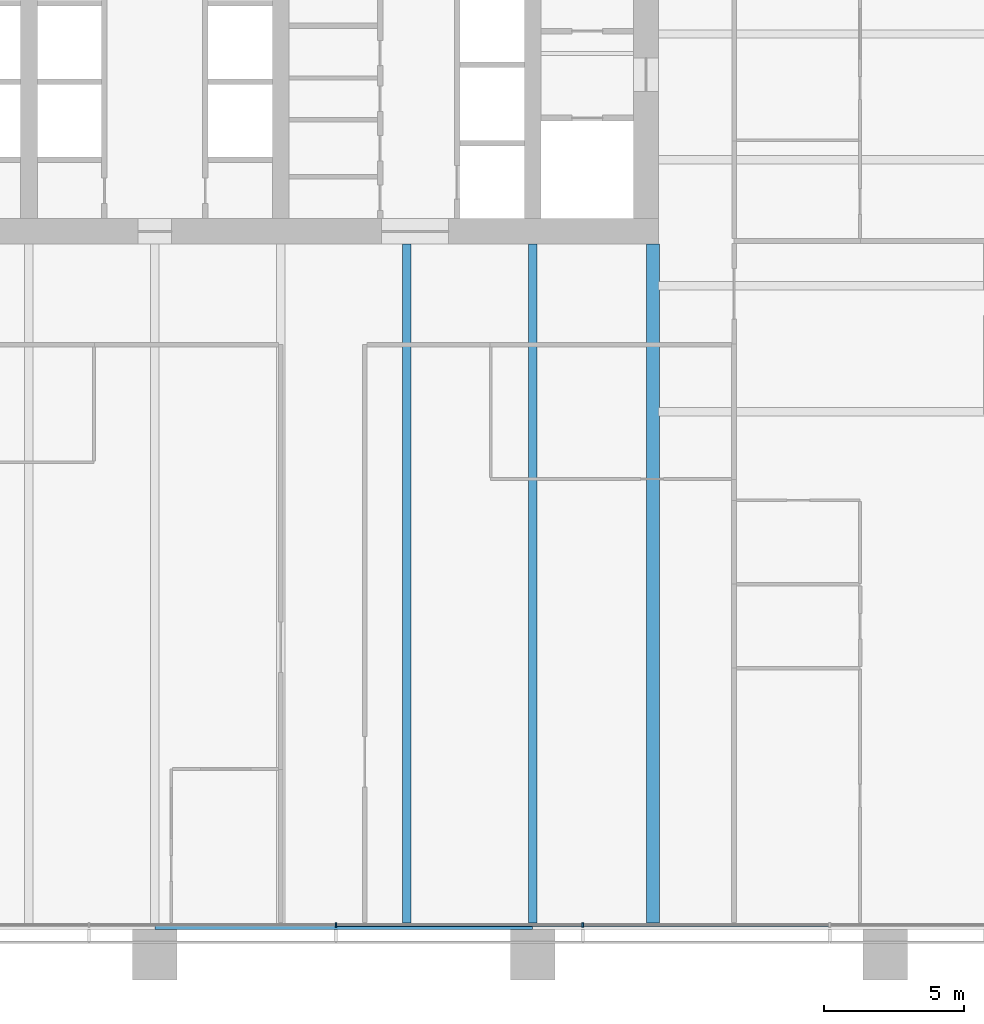
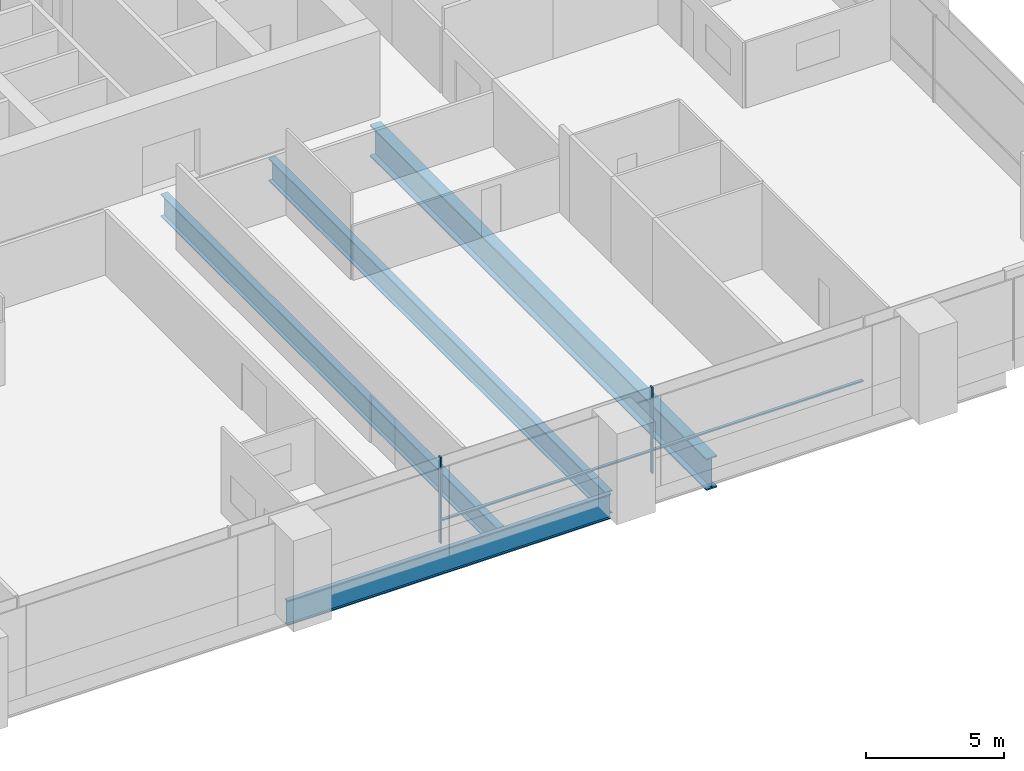
# One storey, part 5 of 19: 4 beams, 4 members, 1 element without a shape of its own.
"""IFC4 building model written with IfcOpenShell, lengths in metres."""

from ifc_helpers import new_model, si_unit, direction, frame, origin, origin_2d, place, context, subcontext, project, spatial, rectangle, i_section, extrude, material, material_profile, profile_set, type_object, element, aggregate, save


model = new_model("IFC4")

# Units and contexts
model_context = context("Model", 3, precision=1e-05, world=origin(), true_north=direction((0.0, 1.0)))
body_context = subcontext(model_context, "Body", "Model", "MODEL_VIEW")
ifc_project = project(units=[si_unit("LENGTHUNIT", "METRE"), si_unit("AREAUNIT", "SQUARE_METRE"), si_unit("VOLUMEUNIT", "CUBIC_METRE"), si_unit("PLANEANGLEUNIT", "RADIAN"), si_unit("MASSUNIT", "GRAM", prefix="KILO")], contexts=[model_context])

# Site, building, storey
site_placement = place(None, origin())
site = spatial("IfcSite", under=ifc_project, at=site_placement, CompositionType="ELEMENT")
building_placement = place(site_placement, origin())
building = spatial("IfcBuilding", under=site, at=building_placement, Name="Rattan Terrace Tower", CompositionType="ELEMENT")
storey_placement = place(building_placement, frame((0.0, 0.0, 99.699951171875)))
storey = spatial("IfcBuildingStorey", under=building, at=storey_placement, Name="L22", CompositionType="ELEMENT", Elevation=99.699951171875)

# Curtain wall, members
ifc_material_1 = material(Name="Aluminium and glass", Category="aluminium")
curtain_wall_type = type_object("IfcCurtainWallType", Name="Facade Unitised Curtain Wall", PredefinedType="NOTDEFINED", material=ifc_material_1)
curtain_wall_placement = place(storey_placement, origin())
curtain_wall = element("IfcCurtainWall", 1, at=curtain_wall_placement, inside=storey, type_object=curtain_wall_type, Name="Curtain wall L22-4", PredefinedType="NOTDEFINED")
ifc_material_2 = material(Name="Aluminium", Category="aluminium")
ifc_material_profile_1 = material_profile(ifc_material_2, rectangle(XDim=0.06005859375, YDim=0.159912109375, at=origin_2d()), Name="Aluminium 60x160")
ifc_profile_set_1 = profile_set([ifc_material_profile_1], Name="Aluminium")
member_type_1 = type_object("IfcMemberType", Name="Facade CW Mullion 60x160", PredefinedType="MULLION", material=ifc_profile_set_1)
member_1_placement = place(storey_placement, frame((6.468994140625, -31.830078125, 0.0), z_axis=(0.0, 0.0, 1.0), x_axis=(1.0, 0.0, 0.0)))
member_1 = element("IfcMember", 2, at=member_1_placement, type_object=member_type_1, Name="Mullion cwl-L22-004.4", PredefinedType="MULLION", context=body_context, shape_type="SweptSolid", body=[
    extrude(rectangle(XDim=0.06005859375, YDim=0.159912109375, at=origin_2d()), origin(), (0.0, 0.0, 1.0), 3.800048828125),
])
member_2_placement = place(storey_placement, frame((15.2919921875, -31.830078125, 0.0), z_axis=(0.0, 0.0, 1.0), x_axis=(1.0, 0.0, 0.0)))
member_2 = element("IfcMember", 3, at=member_2_placement, type_object=member_type_1, Name="Mullion cwl-L22-004.5", PredefinedType="MULLION", context=body_context, shape_type="SweptSolid", body=[
    extrude(rectangle(XDim=0.06005859375, YDim=0.159912109375, at=origin_2d()), origin(), (0.0, 0.0, 1.0), 3.800048828125),
])
ifc_material_3 = material(Name="Aluminium", Category="aluminium")
ifc_material_profile_2 = material_profile(ifc_material_3, rectangle(XDim=0.1201171875, YDim=0.06005859375, at=origin_2d()), Name="Aluminium 120x60")
ifc_profile_set_2 = profile_set([ifc_material_profile_2], Name="Aluminium")
member_type_2 = type_object("IfcMemberType", Name="Facade CW Transom 120x60", PredefinedType="USERDEFINED", material=ifc_profile_set_2)
member_3_placement = place(storey_placement, frame((6.4990234375, -31.830078125, 1.0), z_axis=(1.0, 0.0, 0.0), x_axis=(0.0, 1.0, 0.0)))
member_3 = element("IfcMember", 4, at=member_3_placement, type_object=member_type_2, Name="Transom cwl-L22-004.4", ObjectType="TRANSOM", PredefinedType="USERDEFINED", context=body_context, shape_type="SweptSolid", body=[
    extrude(rectangle(XDim=0.1201171875, YDim=0.06005859375, at=origin_2d()), origin(), (0.0, 0.0, 1.0), 8.762939453125),
])
member_4_placement = place(storey_placement, frame((15.322021484375, -31.830078125, 1.0), z_axis=(1.0, 0.0, 0.0), x_axis=(0.0, 1.0, 0.0)))
member_4 = element("IfcMember", 5, at=member_4_placement, type_object=member_type_2, Name="Transom cwl-L22-004.5", ObjectType="TRANSOM", PredefinedType="USERDEFINED", context=body_context, shape_type="SweptSolid", body=[
    extrude(rectangle(XDim=0.1201171875, YDim=0.06005859375, at=origin_2d()), origin(), (0.0, 0.0, 1.0), 8.762939453125),
])
aggregate(curtain_wall, [member_1, member_2, member_3, member_4])

# Beams
ifc_material_4 = material(Name="Steel S460", Category="steel")
ifc_material_profile_3 = material_profile(ifc_material_4, i_section(OverallWidth=0.449951171875, OverallDepth=1.39990234375, WebThickness=0.02197265625, FlangeThickness=0.054931640625, at=origin_2d()), Name="PG 1400x450-22-55")
ifc_profile_set_3 = profile_set([ifc_material_profile_3], Name="Steel S460")
beam_type_1 = type_object("IfcBeamType", Name="Frame core girder PG 1400x450-22-55", PredefinedType="BEAM", material=ifc_profile_set_3)
beam_1_placement = place(storey_placement, frame((17.800048828125, -31.820068359375, -0.89990234375), z_axis=(0.0, 1.0, 0.0), x_axis=(-1.0, 0.0, 0.0)))
element("IfcBeam", 6, at=beam_1_placement, inside=storey, type_object=beam_type_1, Name="gdr-L22-009", PredefinedType="BEAM", context=body_context, shape_type="SweptSolid", body=[
    extrude(i_section(OverallWidth=0.449951171875, OverallDepth=1.39990234375, WebThickness=0.02197265625, FlangeThickness=0.054931640625, at=origin_2d()), origin(), (0.0, 0.0, 1.0), 24.320068359375),
])
ifc_material_5 = material(Name="Steel S460", Category="steel")
ifc_material_profile_4 = material_profile(ifc_material_5, i_section(OverallWidth=0.179931640625, OverallDepth=1.10009765625, WebThickness=0.01611328125, FlangeThickness=0.050048828125, at=origin_2d()), Name="PG 1100x180-16-50")
ifc_profile_set_4 = profile_set([ifc_material_profile_4], Name="Steel S460")
beam_type_2 = type_object("IfcBeamType", Name="Frame edge girder PG 1100x180-16-50", PredefinedType="SPANDREL", material=ifc_profile_set_4)
beam_2_placement = place(storey_placement, frame((0.0, -31.909912109375, -0.75), z_axis=(1.0, 0.0, 0.0), x_axis=(0.0, 1.0, 0.0)))
element("IfcBeam", 7, at=beam_2_placement, inside=storey, type_object=beam_type_2, Name="gdr-L22-002", PredefinedType="SPANDREL", context=body_context, shape_type="SweptSolid", body=[
    extrude(i_section(OverallWidth=0.179931640625, OverallDepth=1.10009765625, WebThickness=0.01611328125, FlangeThickness=0.050048828125, at=origin_2d()), origin(), (0.0, 0.0, 1.0), 13.5),
])
ifc_material_6 = material(Name="Steel S460", Category="steel")
ifc_material_profile_5 = material_profile(ifc_material_6, i_section(OverallWidth=0.300048828125, OverallDepth=1.0, WebThickness=0.013916015625, FlangeThickness=0.0400390625, at=origin_2d()), Name="PG 1000x300-14-40")
ifc_profile_set_5 = profile_set([ifc_material_profile_5], Name="Steel S460")
beam_type_3 = type_object("IfcBeamType", Name="Frame floor beam PG 1000x300-14-40", PredefinedType="JOIST", material=ifc_profile_set_5)
for number, where, z_axis, x_axis, name in (
    (8, (9.0, -31.820068359375, -0.699951171875), (0.0, 1.0, 0.0), (-1.0, 0.0, 0.0), "bm-L22-008"),
    (9, (13.5, -31.820068359375, -0.699951171875), (0.0, 1.0, 0.0), (-1.0, 0.0, 0.0), "bm-L22-009"),
):
    element("IfcBeam", number, at=place(storey_placement, frame(where, z_axis=z_axis, x_axis=x_axis)), inside=storey, type_object=beam_type_3, Name=name, PredefinedType="JOIST", context=body_context, shape_type="SweptSolid", body=[
        extrude(i_section(OverallWidth=0.300048828125, OverallDepth=1.0, WebThickness=0.013916015625, FlangeThickness=0.0400390625, at=origin_2d()), origin(), (0.0, 0.0, 1.0), 24.320068359375),
    ])

save(model, "model.ifc")
